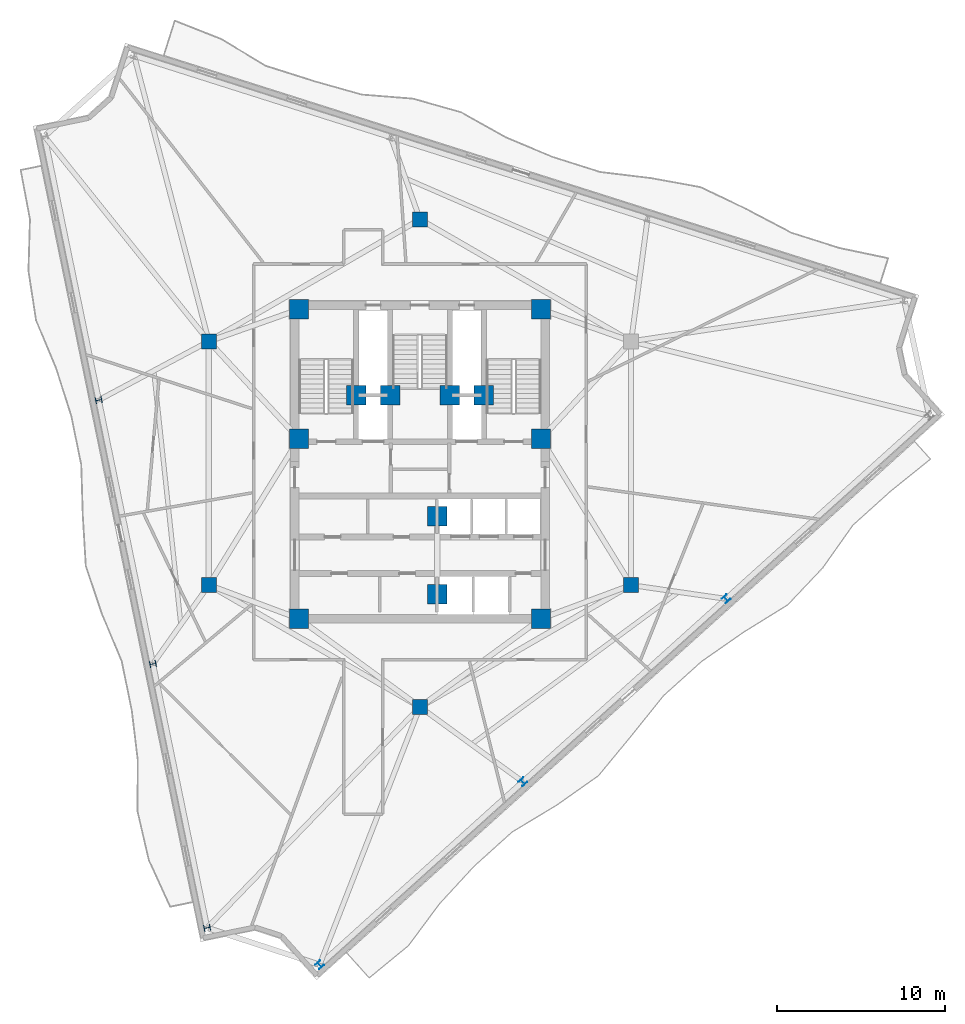
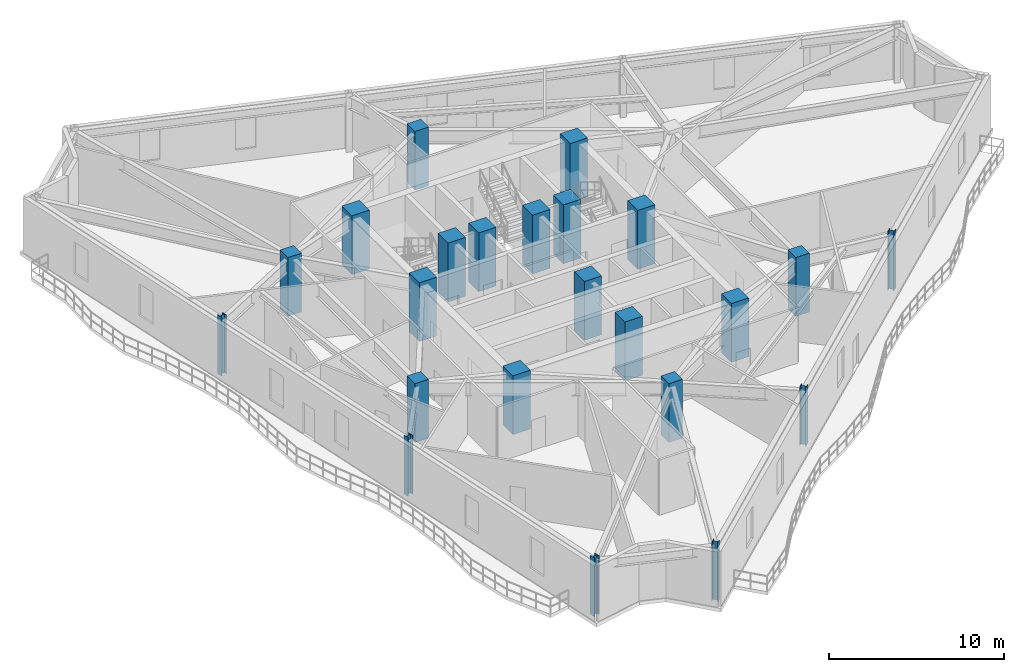
# One storey, part 1 of 12: 23 columns.
"""IFC4 building model written with IfcOpenShell, lengths in metres."""

from ifc_helpers import new_model, si_unit, direction, frame, origin, origin_2d, place, context, subcontext, project, spatial, rectangle, i_section, extrude, material, material_profile, profile_set, type_object, element, save


model = new_model("IFC4")

# Units and contexts
model_context = context("Model", 3, precision=1e-05, world=origin(), true_north=direction((0.0, 1.0)))
body_context = subcontext(model_context, "Body", "Model", "MODEL_VIEW")
ifc_project = project(units=[si_unit("LENGTHUNIT", "METRE"), si_unit("AREAUNIT", "SQUARE_METRE"), si_unit("VOLUMEUNIT", "CUBIC_METRE"), si_unit("PLANEANGLEUNIT", "RADIAN"), si_unit("MASSUNIT", "GRAM", prefix="KILO")], contexts=[model_context])

# Site, building, storey
site_placement = place(None, origin())
site = spatial("IfcSite", under=ifc_project, at=site_placement, CompositionType="ELEMENT")
building_placement = place(site_placement, origin())
building = spatial("IfcBuilding", under=site, at=building_placement, Name="Apsidion Concourse Tower", CompositionType="ELEMENT")
storey_placement = place(building_placement, frame((0.0, 0.0, 232.199951171875)))
storey = spatial("IfcBuildingStorey", under=building, at=storey_placement, Name="L54", CompositionType="ELEMENT", Elevation=232.199951171875)

# Columns
ifc_material_1 = material(Name="Concrete C50/60", Category="concrete")
ifc_material_profile_1 = material_profile(ifc_material_1, rectangle(XDim=1.14990234375, YDim=1.14990234375, at=origin_2d()), Name="RC 1150x1150")
ifc_profile_set_1 = profile_set([ifc_material_profile_1], Name="Concrete C50/60")
column_type_1 = type_object("IfcColumnType", Name="COL-RC-1150", PredefinedType="COLUMN", material=ifc_profile_set_1)
for number, where, z_axis, x_axis, name in (
    (1, (-7.199951171875, -9.25, 0.0), (0.0, 0.0, 1.0), (1.0, 0.0, 0.0), "L54 Core Super-Column SC1"),
    (2, (7.199951171875, -9.25, 0.0), (0.0, 0.0, 1.0), (1.0, 0.0, 0.0), "L54 Core Super-Column SC2"),
    (3, (7.199951171875, 1.449951171875, 0.0), (0.0, 0.0, 1.0), (1.0, 0.0, 0.0), "L54 Core Super-Column SC3"),
    (4, (7.199951171875, 9.14990234375, 0.0), (0.0, 0.0, 1.0), (1.0, 0.0, 0.0), "L54 Core Super-Column SC4"),
    (5, (-7.199951171875, 9.14990234375, 0.0), (0.0, 0.0, 1.0), (1.0, 0.0, 0.0), "L54 Core Super-Column SC5"),
    (6, (-7.199951171875, 1.449951171875, 0.0), (0.0, 0.0, 1.0), (1.0, 0.0, 0.0), "L54 Core Super-Column SC6"),
    (7, (-3.800048828125, 4.050048828125, 0.0), (0.0, 0.0, 1.0), (1.0, 0.0, 0.0), "L54 Core Super-Column CC1"),
    (8, (3.800048828125, 4.050048828125, 0.0), (0.0, 0.0, 1.0), (1.0, 0.0, 0.0), "L54 Core Super-Column CC2"),
    (9, (-1.77490234375, 4.050048828125, 0.0), (0.0, 0.0, 1.0), (1.0, 0.0, 0.0), "L54 Core Super-Column CC3"),
    (10, (1.77490234375, 4.050048828125, 0.0), (0.0, 0.0, 1.0), (1.0, 0.0, 0.0), "L54 Core Super-Column CC4"),
    (11, (1.02490234375, -3.14990234375, 0.0), (0.0, 0.0, 1.0), (1.0, 0.0, 0.0), "L54 Core Super-Column CC5"),
    (12, (1.02490234375, -7.800048828125, 0.0), (0.0, 0.0, 1.0), (1.0, 0.0, 0.0), "L54 Core Super-Column CC6"),
):
    element("IfcColumn", number, at=place(storey_placement, frame(where, z_axis=z_axis, x_axis=x_axis)), inside=storey, type_object=column_type_1, Name=name, PredefinedType="COLUMN", context=body_context, shape_type="SweptSolid", body=[
        extrude(rectangle(XDim=1.14990234375, YDim=1.14990234375, at=origin_2d()), origin(), (0.0, 0.0, 1.0), 4.10009765625),
    ])
ifc_material_profile_2 = material_profile(ifc_material_1, rectangle(XDim=0.89990234375, YDim=0.89990234375, at=origin_2d()), Name="RC 900x900")
ifc_profile_set_2 = profile_set([ifc_material_profile_2], Name="Concrete C50/60")
column_type_2 = type_object("IfcColumnType", Name="COL-RC-900", PredefinedType="COLUMN", material=ifc_profile_set_2)
for number, where, z_axis, x_axis, name in (
    (13, (-12.56005859375, -7.25, 0.0), (0.0, 0.0, 1.0), (1.0, 0.0, 0.0), "L54 Interior Spine Column IC1"),
    (14, (12.56005859375, -7.25, 0.0), (0.0, 0.0, 1.0), (1.0, 0.0, 0.0), "L54 Interior Spine Column IC2"),
    (15, (0.0, 14.5, 0.0), (0.0, 0.0, 1.0), (1.0, 0.0, 0.0), "L54 Interior Spine Column IC4"),
    (16, (-12.56005859375, 7.25, 0.0), (0.0, 0.0, 1.0), (1.0, 0.0, 0.0), "L54 Interior Spine Column IC5"),
    (17, (0.0, -14.5, 0.0), (0.0, 0.0, 1.0), (1.0, 0.0, 0.0), "L54 Interior Spine Column IC6"),
):
    element("IfcColumn", number, at=place(storey_placement, frame(where, z_axis=z_axis, x_axis=x_axis)), inside=storey, type_object=column_type_2, Name=name, PredefinedType="COLUMN", context=body_context, shape_type="SweptSolid", body=[
        extrude(rectangle(XDim=0.89990234375, YDim=0.89990234375, at=origin_2d()), origin(), (0.0, 0.0, 1.0), 4.10009765625),
    ])
ifc_material_2 = material(Name="Structural steel ASTM A992 Grade 50", Category="steel")
ifc_material_profile_3 = material_profile(ifc_material_2, i_section(OverallWidth=0.373046875, OverallDepth=0.373046875, WebThickness=0.016357421875, FlangeThickness=0.026123046875, at=origin_2d()), Name="W14X132")
ifc_profile_set_3 = profile_set([ifc_material_profile_3], Name="Structural steel ASTM A992 Grade 50")
column_type_3 = type_object("IfcColumnType", Name="COL-W14-132", PredefinedType="COLUMN", material=ifc_profile_set_3)
for number, where, z_axis, x_axis, name in (
    (18, (-19.11279296875, 3.75146484375, 0.0), (0.0, 0.0, 1.0), (-0.201248886216, 0.979540139962, 0.0), "L54 Rotated Perimeter Column PC02"),
    (19, (-15.888671875, -11.94384765625, 0.0), (0.0, 0.0, 1.0), (-0.201248886216, 0.979540139962, 0.0), "L54 Rotated Perimeter Column PC03"),
    (20, (-12.664306640625, -27.63916015625, 0.0), (0.0, 0.0, 1.0), (-0.201248886216, 0.979540139962, 0.0), "L54 Rotated Perimeter Column PC04"),
    (21, (-5.967529296875, -29.840087890625, 0.0), (0.0, 0.0, 1.0), (0.743144825477, 0.669130606359, 0.0), "L54 Rotated Perimeter Column PC05"),
    (22, (6.121826171875, -18.954833984375, 0.0), (0.0, 0.0, 1.0), (0.743144825477, 0.669130606359, 0.0), "L54 Rotated Perimeter Column PC06"),
    (23, (18.211181640625, -8.069580078125, 0.0), (0.0, 0.0, 1.0), (0.743144825477, 0.669130606359, 0.0), "L54 Rotated Perimeter Column PC07"),
):
    element("IfcColumn", number, at=place(storey_placement, frame(where, z_axis=z_axis, x_axis=x_axis)), inside=storey, type_object=column_type_3, Name=name, PredefinedType="COLUMN", context=body_context, shape_type="SweptSolid", body=[
        extrude(i_section(OverallWidth=0.373046875, OverallDepth=0.373046875, WebThickness=0.016357421875, FlangeThickness=0.026123046875, at=origin_2d()), origin(), (0.0, 0.0, 1.0), 4.10009765625),
    ])

save(model, "model.ifc")
